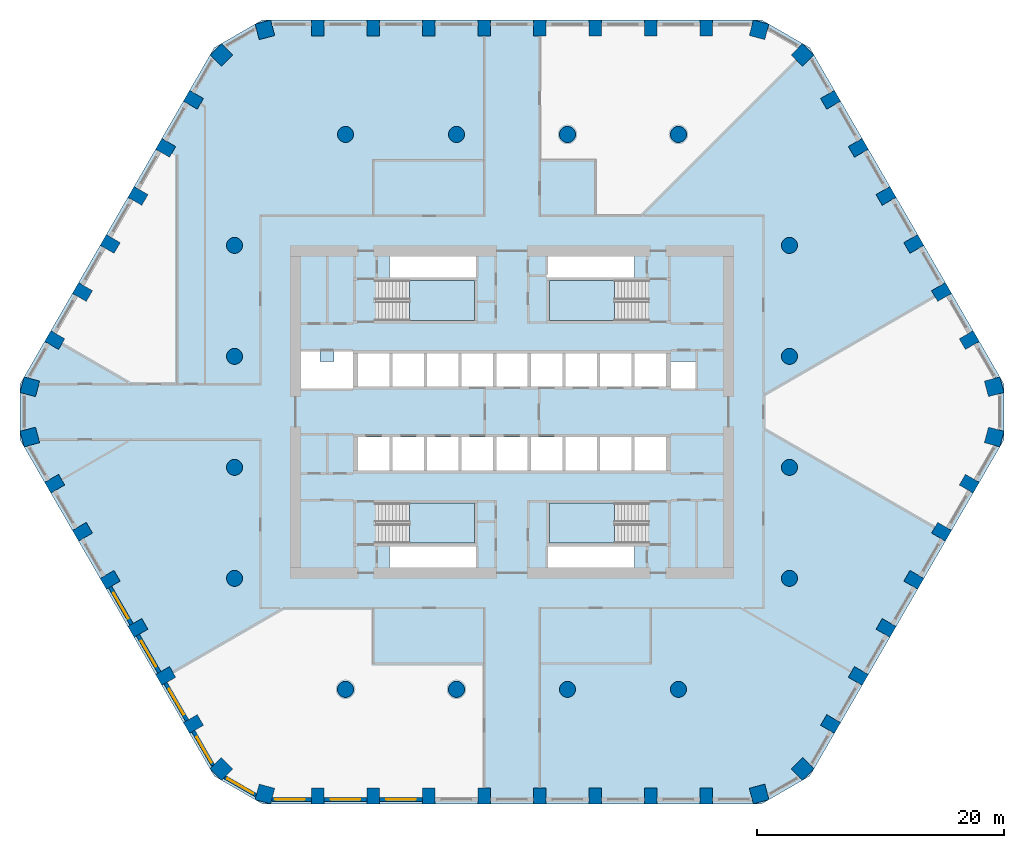
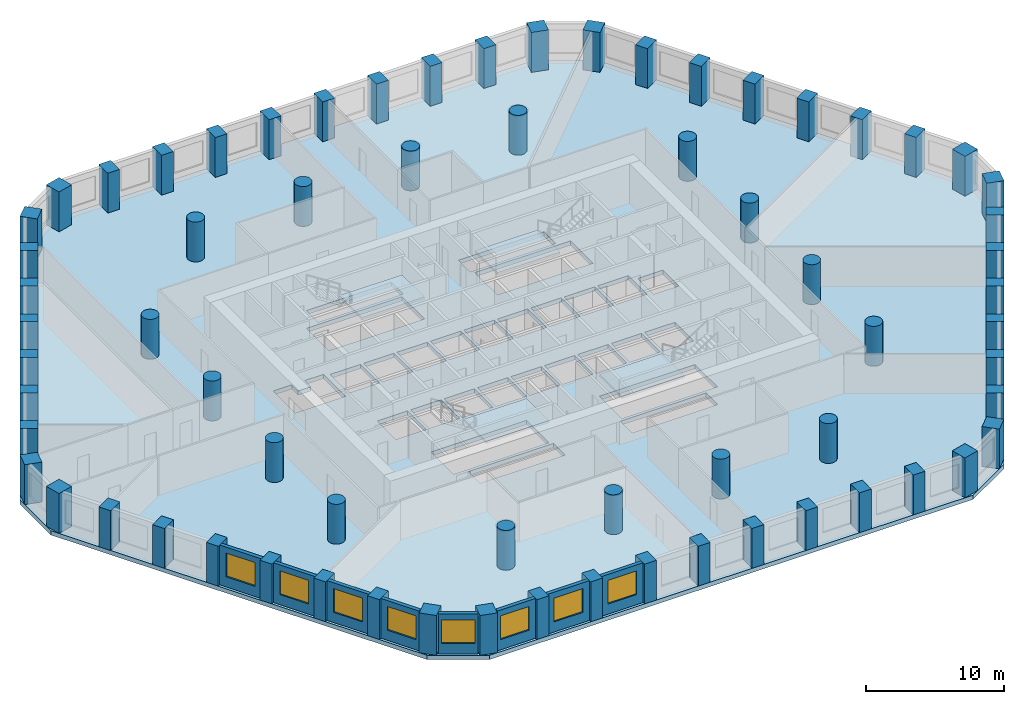
# One storey, part 1 of 14: 68 columns, 8 walls, 8 windows, 5 slabs, 8 openings, 4 elements without a shape of their own.
"""IFC4 building model written with IfcOpenShell, lengths in metres."""

from ifc_helpers import new_model, si_unit, direction, frame, frame_2d, origin, origin_2d, place, context, subcontext, project, spatial, polyline, rectangle, circle, outline, extrude, material, layer, layer_set, material_profile, profile_set, type_object, element, fill, aggregate, save


model = new_model("IFC4")

# Units and contexts
model_context = context("Model", 3, precision=1e-05, world=origin(), true_north=direction((0.0, 1.0)))
body_context = subcontext(model_context, "Body", "Model", "MODEL_VIEW")
ifc_project = project(units=[si_unit("LENGTHUNIT", "METRE"), si_unit("AREAUNIT", "SQUARE_METRE"), si_unit("VOLUMEUNIT", "CUBIC_METRE"), si_unit("PLANEANGLEUNIT", "RADIAN"), si_unit("MASSUNIT", "GRAM", prefix="KILO")], contexts=[model_context])

# Site, building, storey
site_placement = place(None, origin())
site = spatial("IfcSite", under=ifc_project, at=site_placement, CompositionType="ELEMENT")
building_placement = place(site_placement, origin())
building = spatial("IfcBuilding", under=site, at=building_placement, Name="Dhurran Vertical Campus", CompositionType="ELEMENT")
storey_placement = place(building_placement, frame((0.0, 0.0, 100.800048828125)))
storey = spatial("IfcBuildingStorey", under=building, at=storey_placement, Name="L24", CompositionType="ELEMENT", Elevation=100.800048828125)

# Columns
ifc_material_1 = material(Name="Concrete C60/75", Category="concrete")
ifc_material_profile_1 = material_profile(ifc_material_1, rectangle(XDim=1.0, YDim=1.300048828125, at=origin_2d()), Name="RC 1000x1300")
ifc_profile_set_1 = profile_set([ifc_material_profile_1], Name="Concrete C60/75")
column_type_1 = type_object("IfcColumnType", Name="FR COL RC 1000x1300 C60/75", PredefinedType="COLUMN", material=ifc_profile_set_1)
for number, where, z_axis, x_axis, name in (
    (1, (-15.75, -31.1298828125, 0.0), (0.0, 0.0, 1.0), (1.0, 0.0, 0.0), "Perimeter pier PP2.01"),
    (2, (-11.25, -31.1298828125, 0.0), (0.0, 0.0, 1.0), (1.0, 0.0, 0.0), "Perimeter pier PP2.02"),
    (3, (-6.75, -31.1298828125, 0.0), (0.0, 0.0, 1.0), (1.0, 0.0, 0.0), "Perimeter pier PP2.03"),
    (4, (-2.25, -31.1298828125, 0.0), (0.0, 0.0, 1.0), (1.0, 0.0, 0.0), "Perimeter pier PP2.04"),
    (5, (2.25, -31.1298828125, 0.0), (0.0, 0.0, 1.0), (1.0, 0.0, 0.0), "Perimeter pier PP2.05"),
    (6, (6.75, -31.1298828125, 0.0), (0.0, 0.0, 1.0), (1.0, 0.0, 0.0), "Perimeter pier PP2.06"),
    (7, (11.25, -31.1298828125, 0.0), (0.0, 0.0, 1.0), (1.0, 0.0, 0.0), "Perimeter pier PP2.07"),
    (8, (15.75, -31.1298828125, 0.0), (0.0, 0.0, 1.0), (1.0, 0.0, 0.0), "Perimeter pier PP2.08"),
    (9, (25.834228515625, -25.3076171875, 0.0), (0.0, 0.0, 1.0), (0.5, 0.866025403784, 0.0), "Perimeter pier PP2.11"),
    (10, (28.084228515625, -21.41064453125, 0.0), (0.0, 0.0, 1.0), (0.5, 0.866025403784, 0.0), "Perimeter pier PP2.12"),
    (11, (30.334228515625, -17.513427734375, 0.0), (0.0, 0.0, 1.0), (0.5, 0.866025403784, 0.0), "Perimeter pier PP2.13"),
    (12, (32.584228515625, -13.6162109375, 0.0), (0.0, 0.0, 1.0), (0.5, 0.866025403784, 0.0), "Perimeter pier PP2.14"),
    (13, (34.834228515625, -9.71923828125, 0.0), (0.0, 0.0, 1.0), (0.5, 0.866025403784, 0.0), "Perimeter pier PP2.15"),
    (14, (37.084228515625, -5.822021484375, 0.0), (0.0, 0.0, 1.0), (0.5, 0.866025403784, 0.0), "Perimeter pier PP2.16"),
    (15, (37.084228515625, 5.822021484375, 0.0), (0.0, 0.0, 1.0), (-0.5, 0.866025403784, 0.0), "Perimeter pier PP2.19"),
    (16, (34.834228515625, 9.71923828125, 0.0), (0.0, 0.0, 1.0), (-0.5, 0.866025403784, 0.0), "Perimeter pier PP2.20"),
    (17, (32.584228515625, 13.6162109375, 0.0), (0.0, 0.0, 1.0), (-0.5, 0.866025403784, 0.0), "Perimeter pier PP2.21"),
    (18, (30.334228515625, 17.513427734375, 0.0), (0.0, 0.0, 1.0), (-0.5, 0.866025403784, 0.0), "Perimeter pier PP2.22"),
    (19, (28.084228515625, 21.41064453125, 0.0), (0.0, 0.0, 1.0), (-0.5, 0.866025403784, 0.0), "Perimeter pier PP2.23"),
    (20, (25.834228515625, 25.3076171875, 0.0), (0.0, 0.0, 1.0), (-0.5, 0.866025403784, 0.0), "Perimeter pier PP2.24"),
    (21, (15.75, 31.1298828125, 0.0), (0.0, 0.0, 1.0), (-1.0, 0.0, 0.0), "Perimeter pier PP2.27"),
    (22, (11.25, 31.1298828125, 0.0), (0.0, 0.0, 1.0), (-1.0, 0.0, 0.0), "Perimeter pier PP2.28"),
    (23, (6.75, 31.1298828125, 0.0), (0.0, 0.0, 1.0), (-1.0, 0.0, 0.0), "Perimeter pier PP2.29"),
    (24, (2.25, 31.1298828125, 0.0), (0.0, 0.0, 1.0), (-1.0, 0.0, 0.0), "Perimeter pier PP2.30"),
    (25, (-2.25, 31.1298828125, 0.0), (0.0, 0.0, 1.0), (-1.0, 0.0, 0.0), "Perimeter pier PP2.31"),
    (26, (-6.75, 31.1298828125, 0.0), (0.0, 0.0, 1.0), (-1.0, 0.0, 0.0), "Perimeter pier PP2.32"),
    (27, (-11.25, 31.1298828125, 0.0), (0.0, 0.0, 1.0), (-1.0, 0.0, 0.0), "Perimeter pier PP2.33"),
    (28, (-15.75, 31.1298828125, 0.0), (0.0, 0.0, 1.0), (-1.0, 0.0, 0.0), "Perimeter pier PP2.34"),
    (29, (-25.834228515625, 25.3076171875, 0.0), (0.0, 0.0, 1.0), (-0.5, -0.866025403784, 0.0), "Perimeter pier PP2.37"),
    (30, (-28.084228515625, 21.41064453125, 0.0), (0.0, 0.0, 1.0), (-0.5, -0.866025403784, 0.0), "Perimeter pier PP2.38"),
    (31, (-30.334228515625, 17.513427734375, 0.0), (0.0, 0.0, 1.0), (-0.5, -0.866025403784, 0.0), "Perimeter pier PP2.39"),
    (32, (-32.584228515625, 13.6162109375, 0.0), (0.0, 0.0, 1.0), (-0.5, -0.866025403784, 0.0), "Perimeter pier PP2.40"),
    (33, (-34.834228515625, 9.71923828125, 0.0), (0.0, 0.0, 1.0), (-0.5, -0.866025403784, 0.0), "Perimeter pier PP2.41"),
    (34, (-37.084228515625, 5.822021484375, 0.0), (0.0, 0.0, 1.0), (-0.5, -0.866025403784, 0.0), "Perimeter pier PP2.42"),
    (35, (-37.084228515625, -5.822021484375, 0.0), (0.0, 0.0, 1.0), (0.5, -0.866025403784, 0.0), "Perimeter pier PP2.45"),
    (36, (-34.834228515625, -9.71923828125, 0.0), (0.0, 0.0, 1.0), (0.5, -0.866025403784, 0.0), "Perimeter pier PP2.46"),
    (37, (-32.584228515625, -13.6162109375, 0.0), (0.0, 0.0, 1.0), (0.5, -0.866025403784, 0.0), "Perimeter pier PP2.47"),
    (38, (-30.334228515625, -17.513427734375, 0.0), (0.0, 0.0, 1.0), (0.5, -0.866025403784, 0.0), "Perimeter pier PP2.48"),
    (39, (-28.084228515625, -21.41064453125, 0.0), (0.0, 0.0, 1.0), (0.5, -0.866025403784, 0.0), "Perimeter pier PP2.49"),
    (40, (-25.834228515625, -25.3076171875, 0.0), (0.0, 0.0, 1.0), (0.5, -0.866025403784, 0.0), "Perimeter pier PP2.50"),
):
    element("IfcColumn", number, at=place(storey_placement, frame(where, z_axis=z_axis, x_axis=x_axis)), inside=storey, type_object=column_type_1, Name=name, PredefinedType="COLUMN", context=body_context, shape_type="SweptSolid", body=[
        extrude(rectangle(XDim=1.0, YDim=1.300048828125, at=origin_2d()), origin(), (0.0, 0.0, 1.0), 3.52490234375),
    ])
ifc_material_2 = material(Name="Concrete C60/75", Category="concrete")
ifc_material_profile_2 = material_profile(ifc_material_2, rectangle(XDim=1.300048828125, YDim=1.300048828125, at=origin_2d()), Name="RC 1300x1300")
ifc_profile_set_2 = profile_set([ifc_material_profile_2], Name="Concrete C60/75")
column_type_2 = type_object("IfcColumnType", Name="FR COL RC 1300x1300 C60/75", PredefinedType="COLUMN", material=ifc_profile_set_2)
for number, where, z_axis, x_axis, name in (
    (41, (-20.03662109375, -30.983642578125, 0.0), (0.0, 0.0, 1.0), (0.965925826289, -0.258819045103, 0.0), "Perimeter pier PP2.00"),
    (42, (20.03662109375, -30.983642578125, 0.0), (0.0, 0.0, 1.0), (0.965925826289, 0.258819045103, 0.0), "Perimeter pier PP2.09"),
    (43, (23.564208984375, -28.947021484375, 0.0), (0.0, 0.0, 1.0), (0.707106781187, 0.707106781187, 0.0), "Perimeter pier PP2.10"),
    (44, (39.10107421875, -2.03662109375, 0.0), (0.0, 0.0, 1.0), (0.258819045103, 0.965925826289, 0.0), "Perimeter pier PP2.17"),
    (45, (39.10107421875, 2.03662109375, 0.0), (0.0, 0.0, 1.0), (-0.258819045103, 0.965925826289, 0.0), "Perimeter pier PP2.18"),
    (46, (23.564208984375, 28.947021484375, 0.0), (0.0, 0.0, 1.0), (-0.707106781187, 0.707106781187, 0.0), "Perimeter pier PP2.25"),
    (47, (20.03662109375, 30.983642578125, 0.0), (0.0, 0.0, 1.0), (-0.965925826289, 0.258819045103, 0.0), "Perimeter pier PP2.26"),
    (48, (-20.03662109375, 30.983642578125, 0.0), (0.0, 0.0, 1.0), (-0.965925826289, -0.258819045103, 0.0), "Perimeter pier PP2.35"),
    (49, (-23.564208984375, 28.947021484375, 0.0), (0.0, 0.0, 1.0), (-0.707106781187, -0.707106781187, 0.0), "Perimeter pier PP2.36"),
    (50, (-39.10107421875, 2.03662109375, 0.0), (0.0, 0.0, 1.0), (-0.258819045103, -0.965925826289, 0.0), "Perimeter pier PP2.43"),
    (51, (-39.10107421875, -2.03662109375, 0.0), (0.0, 0.0, 1.0), (0.258819045103, -0.965925826289, 0.0), "Perimeter pier PP2.44"),
    (52, (-23.564208984375, -28.947021484375, 0.0), (0.0, 0.0, 1.0), (0.707106781187, -0.707106781187, 0.0), "Perimeter pier PP2.51"),
):
    element("IfcColumn", number, at=place(storey_placement, frame(where, z_axis=z_axis, x_axis=x_axis)), inside=storey, type_object=column_type_2, Name=name, PredefinedType="COLUMN", context=body_context, shape_type="SweptSolid", body=[
        extrude(rectangle(XDim=1.300048828125, YDim=1.300048828125, at=origin_2d()), origin(), (0.0, 0.0, 1.0), 3.52490234375),
    ])
ifc_material_3 = material(Name="Concrete C60/75", Category="concrete")
ifc_material_profile_3 = material_profile(ifc_material_3, circle(Radius=0.64990234375, at=origin_2d()), Name="RCC D1300")
ifc_profile_set_3 = profile_set([ifc_material_profile_3], Name="Concrete C60/75")
column_type_3 = type_object("IfcColumnType", Name="FR COL RCC D1300 C60/75", PredefinedType="COLUMN", material=ifc_profile_set_3)
for number, where, z_axis, x_axis, name in (
    (53, (-22.5, -13.5, 0.0), (0.0, 0.0, 1.0), (1.0, 0.0, 0.0), "Inner column IC2-D4"),
    (54, (-22.5, -4.5, 0.0), (0.0, 0.0, 1.0), (1.0, 0.0, 0.0), "Inner column IC2-D5"),
    (55, (-22.5, 4.5, 0.0), (0.0, 0.0, 1.0), (1.0, 0.0, 0.0), "Inner column IC2-D6"),
    (56, (-22.5, 13.5, 0.0), (0.0, 0.0, 1.0), (1.0, 0.0, 0.0), "Inner column IC2-D7"),
    (57, (-13.5, -22.5, 0.0), (0.0, 0.0, 1.0), (1.0, 0.0, 0.0), "Inner column IC2-E3"),
    (58, (-13.5, 22.5, 0.0), (0.0, 0.0, 1.0), (1.0, 0.0, 0.0), "Inner column IC2-E8"),
    (59, (-4.5, -22.5, 0.0), (0.0, 0.0, 1.0), (1.0, 0.0, 0.0), "Inner column IC2-F3"),
    (60, (-4.5, 22.5, 0.0), (0.0, 0.0, 1.0), (1.0, 0.0, 0.0), "Inner column IC2-F8"),
    (61, (4.5, -22.5, 0.0), (0.0, 0.0, 1.0), (1.0, 0.0, 0.0), "Inner column IC2-G3"),
    (62, (4.5, 22.5, 0.0), (0.0, 0.0, 1.0), (1.0, 0.0, 0.0), "Inner column IC2-G8"),
    (63, (13.5, -22.5, 0.0), (0.0, 0.0, 1.0), (1.0, 0.0, 0.0), "Inner column IC2-H3"),
    (64, (13.5, 22.5, 0.0), (0.0, 0.0, 1.0), (1.0, 0.0, 0.0), "Inner column IC2-H8"),
    (65, (22.5, -13.5, 0.0), (0.0, 0.0, 1.0), (1.0, 0.0, 0.0), "Inner column IC2-J4"),
    (66, (22.5, -4.5, 0.0), (0.0, 0.0, 1.0), (1.0, 0.0, 0.0), "Inner column IC2-J5"),
    (67, (22.5, 4.5, 0.0), (0.0, 0.0, 1.0), (1.0, 0.0, 0.0), "Inner column IC2-J6"),
    (68, (22.5, 13.5, 0.0), (0.0, 0.0, 1.0), (1.0, 0.0, 0.0), "Inner column IC2-J7"),
):
    element("IfcColumn", number, at=place(storey_placement, frame(where, z_axis=z_axis, x_axis=x_axis)), inside=storey, type_object=column_type_3, Name=name, PredefinedType="COLUMN", context=body_context, shape_type="SweptSolid", body=[
        extrude(circle(Radius=0.64990234375, at=origin_2d()), origin(), (0.0, 0.0, 1.0), 3.52490234375),
    ])

# Slab
ifc_material_4 = material(Name="Concrete C40/50", Category="concrete")
ifc_layer_1 = layer(ifc_material_4, 0.375)
ifc_layer_set_1 = layer_set([ifc_layer_1], Name="Concrete C40/50")
slab_type_1 = type_object("IfcSlabType", Name="FR POST-TENSIONED FLAT SLAB 375", PredefinedType="FLOOR", material=ifc_layer_set_1)
slab_1_placement = place(storey_placement, frame((0.0, 0.0, -0.375)))
element("IfcSlab", 69, at=slab_1_placement, inside=storey, type_object=slab_type_1, Name="Floor slab L24", PredefinedType="FLOOR", context=body_context, shape_type="SweptSolid", body=[
    extrude(outline(polyline([(-20.25, -31.77978515625), (20.25, -31.77978515625), (24.147216796875, -29.52978515625), (39.897216796875, -2.25), (39.897216796875, 2.25), (24.147216796875, 29.52978515625), (20.25, 31.77978515625), (-20.25, 31.77978515625), (-24.147216796875, 29.52978515625), (-39.897216796875, 2.25), (-39.897216796875, -2.25), (-24.147216796875, -29.52978515625), (-20.25, -31.77978515625)]), holes=[polyline([(-12.47509765625, 2.050048828125), (-9.925048828125, 2.050048828125), (-9.925048828125, 4.75), (-12.47509765625, 4.75), (-12.47509765625, 2.050048828125)]), polyline([(-9.675048828125, 2.050048828125), (-7.125, 2.050048828125), (-7.125, 4.75), (-9.675048828125, 4.75), (-9.675048828125, 2.050048828125)]), polyline([(-6.875, 2.050048828125), (-4.324951171875, 2.050048828125), (-4.324951171875, 4.75), (-6.875, 4.75), (-6.875, 2.050048828125)]), polyline([(-1.27490234375, 2.050048828125), (1.27490234375, 2.050048828125), (1.27490234375, 4.75), (-1.27490234375, 4.75), (-1.27490234375, 2.050048828125)]), polyline([(9.925048828125, 2.050048828125), (12.47509765625, 2.050048828125), (12.47509765625, 4.75), (9.925048828125, 4.75), (9.925048828125, 2.050048828125)]), polyline([(-1.27490234375, -4.75), (1.27490234375, -4.75), (1.27490234375, -2.050048828125), (-1.27490234375, -2.050048828125), (-1.27490234375, -4.75)]), polyline([(1.52490234375, -4.75), (4.074951171875, -4.75), (4.074951171875, -2.050048828125), (1.52490234375, -2.050048828125), (1.52490234375, -4.75)]), polyline([(4.324951171875, -4.75), (6.875, -4.75), (6.875, -2.050048828125), (4.324951171875, -2.050048828125), (4.324951171875, -4.75)]), polyline([(7.125, -4.75), (9.675048828125, -4.75), (9.675048828125, -2.050048828125), (7.125, -2.050048828125), (7.125, -4.75)]), polyline([(9.925048828125, -4.75), (12.47509765625, -4.75), (12.47509765625, -2.050048828125), (9.925048828125, -2.050048828125), (9.925048828125, -4.75)]), polyline([(-4.074951171875, 2.050048828125), (-1.52490234375, 2.050048828125), (-1.52490234375, 4.75), (-4.074951171875, 4.75), (-4.074951171875, 2.050048828125)]), polyline([(1.52490234375, 2.050048828125), (4.074951171875, 2.050048828125), (4.074951171875, 4.75), (1.52490234375, 4.75), (1.52490234375, 2.050048828125)]), polyline([(4.324951171875, 2.050048828125), (6.875, 2.050048828125), (6.875, 4.75), (4.324951171875, 4.75), (4.324951171875, 2.050048828125)]), polyline([(7.125, 2.050048828125), (9.675048828125, 2.050048828125), (9.675048828125, 4.75), (7.125, 4.75), (7.125, 2.050048828125)]), polyline([(-12.47509765625, -4.75), (-9.925048828125, -4.75), (-9.925048828125, -2.050048828125), (-12.47509765625, -2.050048828125), (-12.47509765625, -4.75)]), polyline([(-9.675048828125, -4.75), (-7.125, -4.75), (-7.125, -2.050048828125), (-9.675048828125, -2.050048828125), (-9.675048828125, -4.75)]), polyline([(-6.875, -4.75), (-4.324951171875, -4.75), (-4.324951171875, -2.050048828125), (-6.875, -2.050048828125), (-6.875, -4.75)]), polyline([(-4.074951171875, -4.75), (-1.52490234375, -4.75), (-1.52490234375, -2.050048828125), (-4.074951171875, -2.050048828125), (-4.074951171875, -4.75)]), polyline([(-11.050048828125, 7.39990234375), (-3.050048828125, 7.39990234375), (-3.050048828125, 10.64990234375), (-11.050048828125, 10.64990234375), (-11.050048828125, 7.39990234375)]), polyline([(3.050048828125, 7.39990234375), (11.050048828125, 7.39990234375), (11.050048828125, 10.64990234375), (3.050048828125, 10.64990234375), (3.050048828125, 7.39990234375)]), polyline([(-11.050048828125, -10.64990234375), (-3.050048828125, -10.64990234375), (-3.050048828125, -7.39990234375), (-11.050048828125, -7.39990234375), (-11.050048828125, -10.64990234375)]), polyline([(3.050048828125, -10.64990234375), (11.050048828125, -10.64990234375), (11.050048828125, -7.39990234375), (3.050048828125, -7.39990234375), (3.050048828125, -10.64990234375)]), polyline([(-9.949951171875, 10.89990234375), (-9.949951171875, 12.60009765625), (-2.800048828125, 12.60009765625), (-2.800048828125, 10.89990234375), (-9.949951171875, 10.89990234375)]), polyline([(9.949951171875, 12.60009765625), (9.949951171875, 10.89990234375), (2.800048828125, 10.89990234375), (2.800048828125, 12.60009765625), (9.949951171875, 12.60009765625)]), polyline([(-9.949951171875, -12.60009765625), (-9.949951171875, -10.89990234375), (-2.800048828125, -10.89990234375), (-2.800048828125, -12.60009765625), (-9.949951171875, -12.60009765625)]), polyline([(9.949951171875, -10.89990234375), (9.949951171875, -12.60009765625), (2.800048828125, -12.60009765625), (2.800048828125, -10.89990234375), (9.949951171875, -10.89990234375)]), polyline([(-17.10009765625, 1.800048828125), (-17.10009765625, 5.0), (-15.550048828125, 5.0), (-15.550048828125, 4.10009765625), (-14.449951171875, 4.10009765625), (-14.449951171875, 5.0), (-12.89990234375, 5.0), (-12.89990234375, 1.800048828125), (-17.10009765625, 1.800048828125)]), polyline([(12.89990234375, 4.10009765625), (15.0, 4.10009765625), (15.0, 1.800048828125), (12.89990234375, 1.800048828125), (12.89990234375, 4.10009765625)])]), origin(), (0.0, 0.0, 1.0), 0.375),
])

# Stair, slab
ifc_material_5 = material(Name="Concrete C40/50", Category="concrete")
stair_type = type_object("IfcStairType", Name="co-ST-CORE", PredefinedType="HALF_TURN_STAIR", material=ifc_material_5)
stair_1_placement = place(storey_placement, origin())
stair_1 = element("IfcStair", 70, at=stair_1_placement, inside=storey, type_object=stair_type, Name="L24 Protected exit stair ST1", PredefinedType="HALF_TURN_STAIR")
ifc_material_6 = material(Name="Concrete C40/50", Category="concrete")
ifc_layer_2 = layer(ifc_material_6, 0.199951171875)
ifc_layer_set_2 = layer_set([ifc_layer_2], Name="Concrete C40/50")
slab_type_2 = type_object("IfcSlabType", Name="co-SL-LANDING", PredefinedType="LANDING", material=ifc_layer_set_2)
slab_2_placement = place(storey_placement, frame((0.0, 0.0, 1.75)))
slab_2 = element("IfcSlab", 71, at=slab_2_placement, type_object=slab_type_2, Name="ST1 landing 1", PredefinedType="LANDING", context=body_context, shape_type="SweptSolid", body=[
    extrude(outline(polyline([(-8.300048828125, 7.39990234375), (-3.050048828125, 7.39990234375), (-3.050048828125, 10.64990234375), (-8.300048828125, 10.64990234375), (-8.300048828125, 7.39990234375)])), origin(), (0.0, 0.0, 1.0), 0.199951171875),
])
aggregate(stair_1, [slab_2])

stair_2_placement = place(storey_placement, origin())
stair_2 = element("IfcStair", 72, at=stair_2_placement, inside=storey, type_object=stair_type, Name="L24 Protected exit stair ST2", PredefinedType="HALF_TURN_STAIR")
slab_3_placement = place(storey_placement, frame((0.0, 0.0, 1.75)))
slab_3 = element("IfcSlab", 73, at=slab_3_placement, type_object=slab_type_2, Name="ST2 landing 1", PredefinedType="LANDING", context=body_context, shape_type="SweptSolid", body=[
    extrude(outline(polyline([(8.300048828125, 10.64990234375), (3.050048828125, 10.64990234375), (3.050048828125, 7.39990234375), (8.300048828125, 7.39990234375), (8.300048828125, 10.64990234375)])), origin(), (0.0, 0.0, 1.0), 0.199951171875),
])
aggregate(stair_2, [slab_3])

stair_3_placement = place(storey_placement, origin())
stair_3 = element("IfcStair", 74, at=stair_3_placement, inside=storey, type_object=stair_type, Name="L24 Protected exit stair ST3", PredefinedType="HALF_TURN_STAIR")
slab_4_placement = place(storey_placement, frame((0.0, 0.0, 1.75)))
slab_4 = element("IfcSlab", 75, at=slab_4_placement, type_object=slab_type_2, Name="ST3 landing 1", PredefinedType="LANDING", context=body_context, shape_type="SweptSolid", body=[
    extrude(outline(polyline([(-8.300048828125, -10.64990234375), (-3.050048828125, -10.64990234375), (-3.050048828125, -7.39990234375), (-8.300048828125, -7.39990234375), (-8.300048828125, -10.64990234375)])), origin(), (0.0, 0.0, 1.0), 0.199951171875),
])
aggregate(stair_3, [slab_4])

stair_4_placement = place(storey_placement, origin())
stair_4 = element("IfcStair", 76, at=stair_4_placement, inside=storey, type_object=stair_type, Name="L24 Protected exit stair ST4", PredefinedType="HALF_TURN_STAIR")
slab_5_placement = place(storey_placement, frame((0.0, 0.0, 1.75)))
slab_5 = element("IfcSlab", 77, at=slab_5_placement, type_object=slab_type_2, Name="ST4 landing 1", PredefinedType="LANDING", context=body_context, shape_type="SweptSolid", body=[
    extrude(outline(polyline([(8.300048828125, -7.39990234375), (3.050048828125, -7.39990234375), (3.050048828125, -10.64990234375), (8.300048828125, -10.64990234375), (8.300048828125, -7.39990234375)])), origin(), (0.0, 0.0, 1.0), 0.199951171875),
])
aggregate(stair_4, [slab_5])

# Wall, opening, window
ifc_material_7 = material(Name="Precast concrete C50/60", Category="concrete")
ifc_layer_3 = layer(ifc_material_7, 0.300048828125)
ifc_layer_set_3 = layer_set([ifc_layer_3], Name="Precast concrete C50/60")
wall_type = type_object("IfcWallType", Name="Precast spandrel wall 300", PredefinedType="SOLIDWALL", material=ifc_layer_set_3)
wall_1_placement = place(storey_placement, frame((-19.44287109375, -31.4296875, 0.0), z_axis=(0.0, 0.0, 1.0), x_axis=(1.0, 0.0, 0.0)))
wall_1 = element("IfcWall", 78, at=wall_1_placement, inside=storey, type_object=wall_type, Name="EW1 L24.00", PredefinedType="SOLIDWALL", context=body_context, shape_type="SweptSolid", body=[
    extrude(rectangle(XDim=3.1923828125, YDim=0.300048828125, at=frame_2d((1.59619140625, 0.0))), origin(), (0.0, 0.0, 1.0), 3.52490234375),
])
opening_1_placement = place(wall_1_placement, frame((0.242919921875, 0.0, 0.89990234375)))
opening_1 = element("IfcOpeningElement", 79, at=opening_1_placement, cuts=wall_1, Name="Opening WT1", PredefinedType="OPENING", context=body_context, shape_type="SweptSolid", body=[
    extrude(rectangle(XDim=2.39990234375, YDim=2.10009765625, at=frame_2d((1.199951171875, 1.050048828125))), frame((0.0, 0.159912109375, 0.0), z_axis=(0.0, -1.0, 0.0), x_axis=(1.0, 0.0, 0.0)), (0.0, 0.0, 1.0), 0.320068359375),
])
ifc_material_8 = material(Name="Aluminium frame with solar-control glass", Category="aluminium")
window_type = type_object("IfcWindowType", Name="Punched window 2400 x 2100", PartitioningType="SINGLE_PANEL", PredefinedType="WINDOW", material=ifc_material_8)
window_1_placement = place(opening_1_placement, origin())
window_1 = element("IfcWindow", 80, at=window_1_placement, inside=storey, type_object=window_type, Name="WT1 L24.00", OverallHeight=2.10009765625, OverallWidth=2.39990234375, PartitioningType="SINGLE_PANEL", PredefinedType="WINDOW", context=body_context, shape_type="SweptSolid", body=[
    extrude(rectangle(XDim=2.39990234375, YDim=2.10009765625, at=frame_2d((1.199951171875, 1.050048828125))), frame((0.0, 0.030029296875, 0.0), z_axis=(0.0, -1.0, 0.0), x_axis=(1.0, 0.0, 0.0)), (0.0, 0.0, 1.0), 0.06005859375),
])
fill(opening_1, window_1)

wall_2_placement = place(storey_placement, frame((-15.24951171875, -31.4296875, 0.0), z_axis=(0.0, 0.0, 1.0), x_axis=(1.0, 0.0, 0.0)))
wall_2 = element("IfcWall", 81, at=wall_2_placement, inside=storey, type_object=wall_type, Name="EW1 L24.01", PredefinedType="SOLIDWALL", context=body_context, shape_type="SweptSolid", body=[
    extrude(rectangle(XDim=3.4990234375, YDim=0.300048828125, at=frame_2d((1.74951171875, 0.0))), origin(), (0.0, 0.0, 1.0), 3.52490234375),
])
opening_2_placement = place(wall_2_placement, frame((0.549560546875, 0.0, 0.89990234375)))
opening_2 = element("IfcOpeningElement", 82, at=opening_2_placement, cuts=wall_2, Name="Opening WT1", PredefinedType="OPENING", context=body_context, shape_type="SweptSolid", body=[
    extrude(rectangle(XDim=2.39990234375, YDim=2.10009765625, at=frame_2d((1.199951171875, 1.050048828125))), frame((0.0, 0.159912109375, 0.0), z_axis=(0.0, -1.0, 0.0), x_axis=(1.0, 0.0, 0.0)), (0.0, 0.0, 1.0), 0.320068359375),
])
window_2_placement = place(opening_2_placement, origin())
window_2 = element("IfcWindow", 83, at=window_2_placement, inside=storey, type_object=window_type, Name="WT1 L24.01", OverallHeight=2.10009765625, OverallWidth=2.39990234375, PartitioningType="SINGLE_PANEL", PredefinedType="WINDOW", context=body_context, shape_type="SweptSolid", body=[
    extrude(rectangle(XDim=2.39990234375, YDim=2.10009765625, at=frame_2d((1.199951171875, 1.050048828125))), frame((0.0, 0.030029296875, 0.0), z_axis=(0.0, -1.0, 0.0), x_axis=(1.0, 0.0, 0.0)), (0.0, 0.0, 1.0), 0.06005859375),
])
fill(opening_2, window_2)

wall_3_placement = place(storey_placement, frame((-10.74951171875, -31.4296875, 0.0), z_axis=(0.0, 0.0, 1.0), x_axis=(1.0, 0.0, 0.0)))
wall_3 = element("IfcWall", 84, at=wall_3_placement, inside=storey, type_object=wall_type, Name="EW1 L24.02", PredefinedType="SOLIDWALL", context=body_context, shape_type="SweptSolid", body=[
    extrude(rectangle(XDim=3.4990234375, YDim=0.300048828125, at=frame_2d((1.74951171875, 0.0))), origin(), (0.0, 0.0, 1.0), 3.52490234375),
])
opening_3_placement = place(wall_3_placement, frame((0.549560546875, 0.0, 0.89990234375)))
opening_3 = element("IfcOpeningElement", 85, at=opening_3_placement, cuts=wall_3, Name="Opening WT1", PredefinedType="OPENING", context=body_context, shape_type="SweptSolid", body=[
    extrude(rectangle(XDim=2.39990234375, YDim=2.10009765625, at=frame_2d((1.199951171875, 1.050048828125))), frame((0.0, 0.159912109375, 0.0), z_axis=(0.0, -1.0, 0.0), x_axis=(1.0, 0.0, 0.0)), (0.0, 0.0, 1.0), 0.320068359375),
])
window_3_placement = place(opening_3_placement, origin())
window_3 = element("IfcWindow", 86, at=window_3_placement, inside=storey, type_object=window_type, Name="WT1 L24.02", OverallHeight=2.10009765625, OverallWidth=2.39990234375, PartitioningType="SINGLE_PANEL", PredefinedType="WINDOW", context=body_context, shape_type="SweptSolid", body=[
    extrude(rectangle(XDim=2.39990234375, YDim=2.10009765625, at=frame_2d((1.199951171875, 1.050048828125))), frame((0.0, 0.030029296875, 0.0), z_axis=(0.0, -1.0, 0.0), x_axis=(1.0, 0.0, 0.0)), (0.0, 0.0, 1.0), 0.06005859375),
])
fill(opening_3, window_3)

wall_4_placement = place(storey_placement, frame((-32.59375, -14.19970703125, 0.0), z_axis=(0.0, 0.0, 1.0), x_axis=(0.499996256241, -0.866027565234, 0.0)))
wall_4 = element("IfcWall", 87, at=wall_4_placement, inside=storey, type_object=wall_type, Name="EW1 L24.47", PredefinedType="SOLIDWALL", context=body_context, shape_type="SweptSolid", body=[
    extrude(rectangle(XDim=3.4990234375, YDim=0.300048828125, at=frame_2d((1.74951171875, 0.0))), origin(), (0.0, 0.0, 1.0), 3.52490234375),
])
opening_4_placement = place(wall_4_placement, frame((0.549560546875, 0.0, 0.89990234375)))
opening_4 = element("IfcOpeningElement", 88, at=opening_4_placement, cuts=wall_4, Name="Opening WT1", PredefinedType="OPENING", context=body_context, shape_type="SweptSolid", body=[
    extrude(rectangle(XDim=2.39990234375, YDim=2.10009765625, at=frame_2d((1.199951171875, 1.050048828125))), frame((0.0, 0.159912109375, 0.0), z_axis=(0.0, -1.0, 0.0), x_axis=(1.0, 0.0, 0.0)), (0.0, 0.0, 1.0), 0.320068359375),
])
window_4_placement = place(opening_4_placement, origin())
window_4 = element("IfcWindow", 89, at=window_4_placement, inside=storey, type_object=window_type, Name="WT1 L24.47", OverallHeight=2.10009765625, OverallWidth=2.39990234375, PartitioningType="SINGLE_PANEL", PredefinedType="WINDOW", context=body_context, shape_type="SweptSolid", body=[
    extrude(rectangle(XDim=2.39990234375, YDim=2.10009765625, at=frame_2d((1.199951171875, 1.050048828125))), frame((0.0, 0.030029296875, 0.0), z_axis=(0.0, -1.0, 0.0), x_axis=(1.0, 0.0, 0.0)), (0.0, 0.0, 1.0), 0.06005859375),
])
fill(opening_4, window_4)

wall_5_placement = place(storey_placement, frame((-30.34375, -18.096923828125, 0.0), z_axis=(0.0, 0.0, 1.0), x_axis=(0.499996256241, -0.866027565234, 0.0)))
wall_5 = element("IfcWall", 90, at=wall_5_placement, inside=storey, type_object=wall_type, Name="EW1 L24.48", PredefinedType="SOLIDWALL", context=body_context, shape_type="SweptSolid", body=[
    extrude(rectangle(XDim=3.4990234375, YDim=0.300048828125, at=frame_2d((1.74951171875, 0.0))), origin(), (0.0, 0.0, 1.0), 3.52490234375),
])
opening_5_placement = place(wall_5_placement, frame((0.549560546875, 0.0, 0.89990234375)))
opening_5 = element("IfcOpeningElement", 91, at=opening_5_placement, cuts=wall_5, Name="Opening WT1", PredefinedType="OPENING", context=body_context, shape_type="SweptSolid", body=[
    extrude(rectangle(XDim=2.39990234375, YDim=2.10009765625, at=frame_2d((1.199951171875, 1.050048828125))), frame((0.0, 0.159912109375, 0.0), z_axis=(0.0, -1.0, 0.0), x_axis=(1.0, 0.0, 0.0)), (0.0, 0.0, 1.0), 0.320068359375),
])
window_5_placement = place(opening_5_placement, origin())
window_5 = element("IfcWindow", 92, at=window_5_placement, inside=storey, type_object=window_type, Name="WT1 L24.48", OverallHeight=2.10009765625, OverallWidth=2.39990234375, PartitioningType="SINGLE_PANEL", PredefinedType="WINDOW", context=body_context, shape_type="SweptSolid", body=[
    extrude(rectangle(XDim=2.39990234375, YDim=2.10009765625, at=frame_2d((1.199951171875, 1.050048828125))), frame((0.0, 0.030029296875, 0.0), z_axis=(0.0, -1.0, 0.0), x_axis=(1.0, 0.0, 0.0)), (0.0, 0.0, 1.0), 0.06005859375),
])
fill(opening_5, window_5)

wall_6_placement = place(storey_placement, frame((-28.09375, -21.993896484375, 0.0), z_axis=(0.0, 0.0, 1.0), x_axis=(0.499996256241, -0.866027565234, 0.0)))
wall_6 = element("IfcWall", 93, at=wall_6_placement, inside=storey, type_object=wall_type, Name="EW1 L24.49", PredefinedType="SOLIDWALL", context=body_context, shape_type="SweptSolid", body=[
    extrude(rectangle(XDim=3.4990234375, YDim=0.300048828125, at=frame_2d((1.74951171875, 0.0))), origin(), (0.0, 0.0, 1.0), 3.52490234375),
])
opening_6_placement = place(wall_6_placement, frame((0.549560546875, 0.0, 0.89990234375)))
opening_6 = element("IfcOpeningElement", 94, at=opening_6_placement, cuts=wall_6, Name="Opening WT1", PredefinedType="OPENING", context=body_context, shape_type="SweptSolid", body=[
    extrude(rectangle(XDim=2.39990234375, YDim=2.10009765625, at=frame_2d((1.199951171875, 1.050048828125))), frame((0.0, 0.159912109375, 0.0), z_axis=(0.0, -1.0, 0.0), x_axis=(1.0, 0.0, 0.0)), (0.0, 0.0, 1.0), 0.320068359375),
])
window_6_placement = place(opening_6_placement, origin())
window_6 = element("IfcWindow", 95, at=window_6_placement, inside=storey, type_object=window_type, Name="WT1 L24.49", OverallHeight=2.10009765625, OverallWidth=2.39990234375, PartitioningType="SINGLE_PANEL", PredefinedType="WINDOW", context=body_context, shape_type="SweptSolid", body=[
    extrude(rectangle(XDim=2.39990234375, YDim=2.10009765625, at=frame_2d((1.199951171875, 1.050048828125))), frame((0.0, 0.030029296875, 0.0), z_axis=(0.0, -1.0, 0.0), x_axis=(1.0, 0.0, 0.0)), (0.0, 0.0, 1.0), 0.06005859375),
])
fill(opening_6, window_6)

wall_7_placement = place(storey_placement, frame((-25.84375, -25.89111328125, 0.0), z_axis=(0.0, 0.0, 1.0), x_axis=(0.500004907028, -0.866022570692, 0.0)))
wall_7 = element("IfcWall", 96, at=wall_7_placement, inside=storey, type_object=wall_type, Name="EW1 L24.50", PredefinedType="SOLIDWALL", context=body_context, shape_type="SweptSolid", body=[
    extrude(rectangle(XDim=3.1923828125, YDim=0.300048828125, at=frame_2d((1.59619140625, 0.0))), origin(), (0.0, 0.0, 1.0), 3.52490234375),
])
opening_7_placement = place(wall_7_placement, frame((0.549560546875, 0.0, 0.89990234375)))
opening_7 = element("IfcOpeningElement", 97, at=opening_7_placement, cuts=wall_7, Name="Opening WT1", PredefinedType="OPENING", context=body_context, shape_type="SweptSolid", body=[
    extrude(rectangle(XDim=2.39990234375, YDim=2.10009765625, at=frame_2d((1.199951171875, 1.050048828125))), frame((0.0, 0.159912109375, 0.0), z_axis=(0.0, -1.0, 0.0), x_axis=(1.0, 0.0, 0.0)), (0.0, 0.0, 1.0), 0.320068359375),
])
window_7_placement = place(opening_7_placement, origin())
window_7 = element("IfcWindow", 98, at=window_7_placement, inside=storey, type_object=window_type, Name="WT1 L24.50", OverallHeight=2.10009765625, OverallWidth=2.39990234375, PartitioningType="SINGLE_PANEL", PredefinedType="WINDOW", context=body_context, shape_type="SweptSolid", body=[
    extrude(rectangle(XDim=2.39990234375, YDim=2.10009765625, at=frame_2d((1.199951171875, 1.050048828125))), frame((0.0, 0.030029296875, 0.0), z_axis=(0.0, -1.0, 0.0), x_axis=(1.0, 0.0, 0.0)), (0.0, 0.0, 1.0), 0.06005859375),
])
fill(opening_7, window_7)

wall_8_placement = place(storey_placement, frame((-23.273193359375, -29.63037109375, 0.0), z_axis=(0.0, 0.0, 1.0), x_axis=(0.866053149362, -0.49995194017, 0.0)))
wall_8 = element("IfcWall", 99, at=wall_8_placement, inside=storey, type_object=wall_type, Name="EW1 L24.51", PredefinedType="SOLIDWALL", context=body_context, shape_type="SweptSolid", body=[
    extrude(rectangle(XDim=2.885498046875, YDim=0.300048828125, at=frame_2d((1.44287109375, 0.0))), origin(), (0.0, 0.0, 1.0), 3.52490234375),
])
opening_8_placement = place(wall_8_placement, frame((0.242919921875, 0.0, 0.89990234375)))
opening_8 = element("IfcOpeningElement", 100, at=opening_8_placement, cuts=wall_8, Name="Opening WT1", PredefinedType="OPENING", context=body_context, shape_type="SweptSolid", body=[
    extrude(rectangle(XDim=2.39990234375, YDim=2.10009765625, at=frame_2d((1.199951171875, 1.050048828125))), frame((0.0, 0.159912109375, 0.0), z_axis=(0.0, -1.0, 0.0), x_axis=(1.0, 0.0, 0.0)), (0.0, 0.0, 1.0), 0.320068359375),
])
window_8_placement = place(opening_8_placement, origin())
window_8 = element("IfcWindow", 101, at=window_8_placement, inside=storey, type_object=window_type, Name="WT1 L24.51", OverallHeight=2.10009765625, OverallWidth=2.39990234375, PartitioningType="SINGLE_PANEL", PredefinedType="WINDOW", context=body_context, shape_type="SweptSolid", body=[
    extrude(rectangle(XDim=2.39990234375, YDim=2.10009765625, at=frame_2d((1.199951171875, 1.050048828125))), frame((0.0, 0.030029296875, 0.0), z_axis=(0.0, -1.0, 0.0), x_axis=(1.0, 0.0, 0.0)), (0.0, 0.0, 1.0), 0.06005859375),
])
fill(opening_8, window_8)

save(model, "model.ifc")
